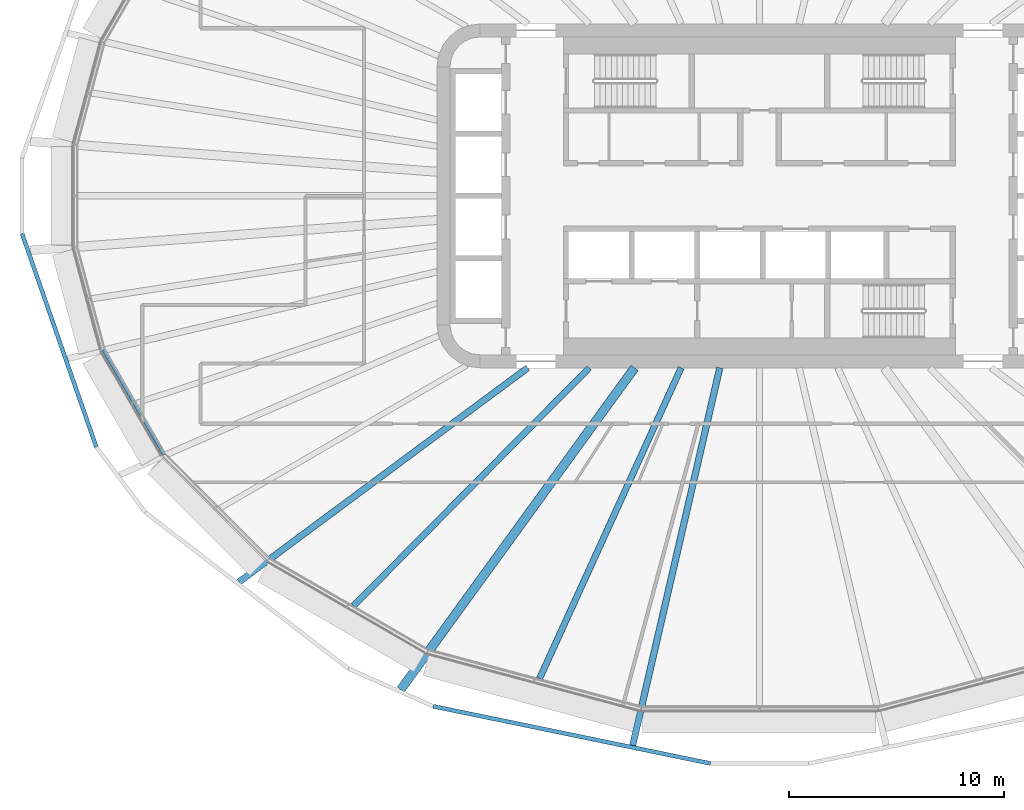
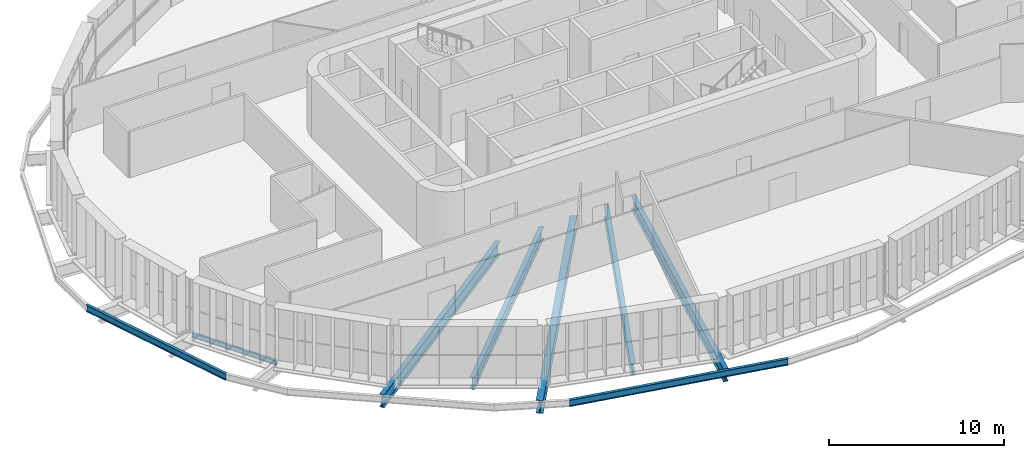
# One storey, part 2 of 25: 8 beams.
"""IFC4 building model written with IfcOpenShell, lengths in metres."""

from ifc_helpers import new_model, si_unit, direction, frame, origin, origin_2d, place, context, subcontext, project, spatial, i_section, extrude, material, material_profile, profile_set, type_object, element, save


model = new_model("IFC4")

# Units and contexts
model_context = context("Model", 3, precision=1e-05, world=origin(), true_north=direction((0.0, 1.0)))
body_context = subcontext(model_context, "Body", "Model", "MODEL_VIEW")
ifc_project = project(units=[si_unit("LENGTHUNIT", "METRE"), si_unit("AREAUNIT", "SQUARE_METRE"), si_unit("VOLUMEUNIT", "CUBIC_METRE"), si_unit("PLANEANGLEUNIT", "RADIAN"), si_unit("MASSUNIT", "GRAM", prefix="KILO")], contexts=[model_context])

# Site, building, storey
site_placement = place(None, origin())
site = spatial("IfcSite", under=ifc_project, at=site_placement, CompositionType="ELEMENT")
building_placement = place(site_placement, origin())
building = spatial("IfcBuilding", under=site, at=building_placement, Name="Sahrelin Media Tower", CompositionType="ELEMENT")
storey_placement = place(building_placement, frame((0.0, 0.0, 110.39990234375)))
storey = spatial("IfcBuildingStorey", under=building, at=storey_placement, Name="L21", CompositionType="ELEMENT", Elevation=110.39990234375)

# Beams
ifc_material = material(Name="Steel S355", Category="steel")
ifc_material_profile_1 = material_profile(ifc_material, i_section(OverallWidth=0.1650390625, OverallDepth=0.303466796875, WebThickness=0.006103515625, FlangeThickness=0.01025390625, FilletRadius=0.0087890625, at=origin_2d()), Name="UB 305x165x40")
ifc_profile_set_1 = profile_set([ifc_material_profile_1], Name="Steel S355")
beam_type_1 = type_object("IfcBeamType", Name="Edge beam EB2", PredefinedType="BEAM", material=ifc_profile_set_1)
beam_1_placement = place(storey_placement, frame((-27.698486328125, -12.025634765625, -0.301513671875), z_axis=(-0.500017404508, 0.866015355054, 0.0), x_axis=(-0.866015355054, -0.500017404508, 0.0)))
element("IfcBeam", 1, at=beam_1_placement, inside=storey, type_object=beam_type_1, Name="Edge beam L21-11", PredefinedType="BEAM", context=body_context, shape_type="SweptSolid", body=[
    extrude(i_section(OverallWidth=0.1650390625, OverallDepth=0.303466796875, WebThickness=0.006103515625, FlangeThickness=0.01025390625, FilletRadius=0.0087890625, at=origin_2d()), origin(), (0.0, 0.0, 1.0), 5.612548828125),
])
ifc_material_profile_2 = material_profile(ifc_material, i_section(OverallWidth=0.30322265625, OverallDepth=0.903076171875, WebThickness=0.01513671875, FlangeThickness=0.020263671875, FilletRadius=0.01904296875, at=origin_2d()), Name="UB 914x305x201")
ifc_profile_set_2 = profile_set([ifc_material_profile_2], Name="Steel S355")
beam_type_2 = type_object("IfcBeamType", Name="Radial primary beam PB11", PredefinedType="BEAM", material=ifc_profile_set_2)
beam_2_placement = place(storey_placement, frame((-10.78466796875, -8.0, -0.601318359375), z_axis=(-0.803152128679, -0.595773999263, 0.0), x_axis=(0.595773999263, -0.803152128679, 0.0)))
element("IfcBeam", 2, at=beam_2_placement, inside=storey, type_object=beam_type_2, Name="Radial beam L21-16", PredefinedType="BEAM", context=body_context, shape_type="SweptSolid", body=[
    extrude(i_section(OverallWidth=0.30322265625, OverallDepth=0.903076171875, WebThickness=0.01513671875, FlangeThickness=0.020263671875, FilletRadius=0.01904296875, at=origin_2d()), origin(), (0.0, 0.0, 1.0), 16.71728515625),
])
beam_3_placement = place(storey_placement, frame((-1.845458984375, -8.0, -0.601318359375), z_axis=(-0.224769488675, -0.974411964705, 0.0), x_axis=(0.974411964705, -0.224769488675, 0.0)))
element("IfcBeam", 3, at=beam_3_placement, inside=storey, type_object=beam_type_2, Name="Radial beam L21-18", PredefinedType="BEAM", context=body_context, shape_type="SweptSolid", body=[
    extrude(i_section(OverallWidth=0.30322265625, OverallDepth=0.903076171875, WebThickness=0.01513671875, FlangeThickness=0.020263671875, FilletRadius=0.01904296875, at=origin_2d()), origin(), (0.0, 0.0, 1.0), 18.025146484375),
])
ifc_material_profile_3 = material_profile(ifc_material, i_section(OverallWidth=0.41845703125, OverallDepth=0.911865234375, WebThickness=0.019287109375, FlangeThickness=0.031982421875, FilletRadius=0.024169921875, at=origin_2d()), Name="UB 914x419x343")
ifc_profile_set_3 = profile_set([ifc_material_profile_3], Name="Steel S355")
beam_type_3 = type_object("IfcBeamType", Name="Radial primary beam PB12", PredefinedType="BEAM", material=ifc_profile_set_3)
beam_4_placement = place(storey_placement, frame((-5.8125, -8.0, -0.605712890625), z_axis=(-0.587808442144, -0.809000145454, 0.0), x_axis=(0.809000145454, -0.587808442144, 0.0)))
element("IfcBeam", 4, at=beam_4_placement, inside=storey, type_object=beam_type_3, Name="Radial beam L21-17", PredefinedType="BEAM", context=body_context, shape_type="SweptSolid", body=[
    extrude(i_section(OverallWidth=0.41845703125, OverallDepth=0.911865234375, WebThickness=0.019287109375, FlangeThickness=0.031982421875, FilletRadius=0.024169921875, at=origin_2d()), origin(), (0.0, 0.0, 1.0), 18.505615234375),
])
ifc_material_profile_4 = material_profile(ifc_material, i_section(OverallWidth=0.291748046875, OverallDepth=0.8349609375, WebThickness=0.013916015625, FlangeThickness=0.018798828125, FilletRadius=0.017822265625, at=origin_2d()), Name="UB 838x292x176")
ifc_profile_set_4 = profile_set([ifc_material_profile_4], Name="Steel S355")
beam_type_4 = type_object("IfcBeamType", Name="Radial secondary beam SB10", PredefinedType="BEAM", material=ifc_profile_set_4)
beam_5_placement = place(storey_placement, frame((-7.92138671875, -8.0, -0.5673828125), z_axis=(-0.703602310212, -0.7105939692, 0.0), x_axis=(0.7105939692, -0.703602310212, 0.0)))
element("IfcBeam", 5, at=beam_5_placement, inside=storey, type_object=beam_type_4, Name="Secondary beam L21-16", PredefinedType="BEAM", context=body_context, shape_type="SweptSolid", body=[
    extrude(i_section(OverallWidth=0.291748046875, OverallDepth=0.8349609375, WebThickness=0.013916015625, FlangeThickness=0.018798828125, FilletRadius=0.017822265625, at=origin_2d()), origin(), (0.0, 0.0, 1.0), 15.57373046875),
])
beam_6_placement = place(storey_placement, frame((-3.64501953125, -8.0, -0.5673828125), z_axis=(-0.414626132753, -0.909991851633, 0.0), x_axis=(0.909991851633, -0.414626132753, 0.0)))
element("IfcBeam", 6, at=beam_6_placement, inside=storey, type_object=beam_type_4, Name="Secondary beam L21-17", PredefinedType="BEAM", context=body_context, shape_type="SweptSolid", body=[
    extrude(i_section(OverallWidth=0.291748046875, OverallDepth=0.8349609375, WebThickness=0.013916015625, FlangeThickness=0.018798828125, FilletRadius=0.017822265625, at=origin_2d()), origin(), (0.0, 0.0, 1.0), 15.884033203125),
])
ifc_material_profile_5 = material_profile(ifc_material, i_section(OverallWidth=0.1904296875, OverallDepth=0.45703125, WebThickness=0.009033203125, FlangeThickness=0.014404296875, FilletRadius=0.01025390625, at=origin_2d()), Name="UB 457x191x74")
ifc_profile_set_5 = profile_set([ifc_material_profile_5], Name="Steel S355")
beam_type_5 = type_object("IfcBeamType", Name="Tie chord TC5", PredefinedType="BEAM", material=ifc_profile_set_5)
beam_7_placement = place(storey_placement, frame((-34.30810546875, -1.755859375, -0.37841796875), z_axis=(0.328770150745, -0.94440996817, 0.0), x_axis=(0.94440996817, 0.328770150745, 0.0)))
element("IfcBeam", 7, at=beam_7_placement, inside=storey, type_object=beam_type_5, Name="Tie chord L21-13", PredefinedType="BEAM", context=body_context, shape_type="SweptSolid", body=[
    extrude(i_section(OverallWidth=0.1904296875, OverallDepth=0.45703125, WebThickness=0.009033203125, FlangeThickness=0.014404296875, FilletRadius=0.01025390625, at=origin_2d()), origin(), (0.0, 0.0, 1.0), 10.51123046875),
])
beam_8_placement = place(storey_placement, frame((-15.178466796875, -23.746826171875, -0.37841796875), z_axis=(0.979388707477, -0.201984553039, 0.0), x_axis=(0.201984553039, 0.979388707477, 0.0)))
element("IfcBeam", 8, at=beam_8_placement, inside=storey, type_object=beam_type_5, Name="Tie chord L21-17", PredefinedType="BEAM", context=body_context, shape_type="SweptSolid", body=[
    extrude(i_section(OverallWidth=0.1904296875, OverallDepth=0.45703125, WebThickness=0.009033203125, FlangeThickness=0.014404296875, FilletRadius=0.01025390625, at=origin_2d()), origin(), (0.0, 0.0, 1.0), 13.1689453125),
])

save(model, "model.ifc")
